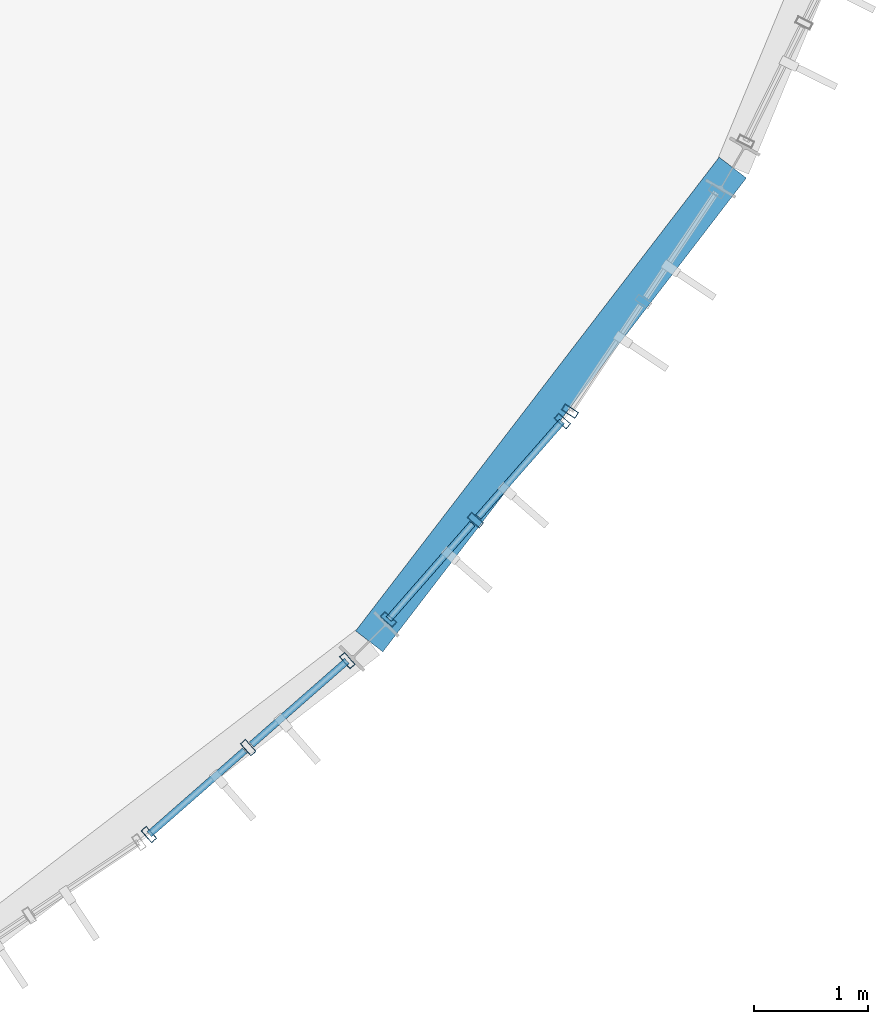
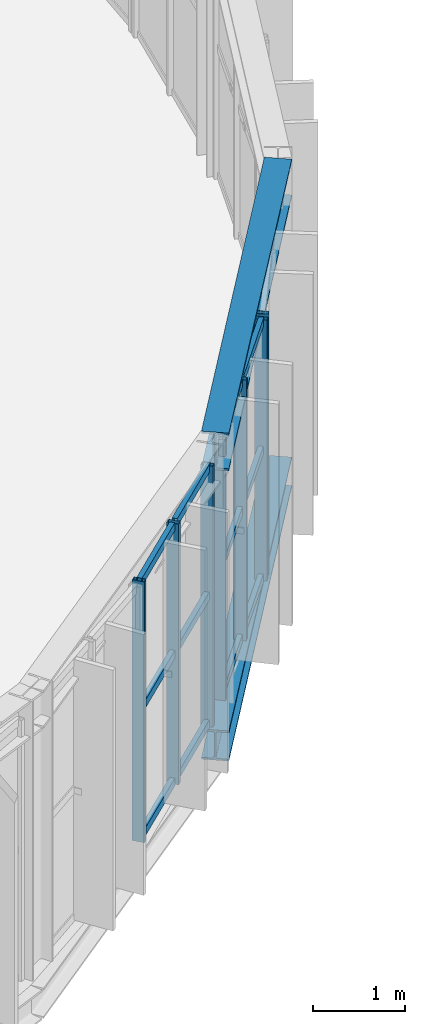
# One storey, part 46 of 152: 19 members, 2 beams, 3 elements without a shape of their own.
"""IFC4 building model written with IfcOpenShell, lengths in metres."""

from ifc_helpers import new_model, si_unit, derived_unit, direction, frame, origin, origin_2d, place, context, subcontext, project, spatial, hollow_rectangle, i_section, extrude, material, material_profile, profile_set, type_object, element, aggregate, save


model = new_model("IFC4")

# Units and contexts
model_context = context("Model", 3, precision=1e-05, world=origin(), true_north=direction((0.0, 1.0)))
body_context = subcontext(model_context, "Body", "Model", "MODEL_VIEW")
ifc_project = project(units=[si_unit("LENGTHUNIT", "METRE"), si_unit("AREAUNIT", "SQUARE_METRE"), si_unit("VOLUMEUNIT", "CUBIC_METRE"), si_unit("PLANEANGLEUNIT", "RADIAN"), si_unit("MASSUNIT", "GRAM", prefix="KILO"), si_unit("THERMODYNAMICTEMPERATUREUNIT", "KELVIN"), si_unit("TIMEUNIT", "SECOND"), derived_unit("THERMALTRANSMITTANCEUNIT", [(si_unit("MASSUNIT", "GRAM", prefix="KILO"), 1), (si_unit("THERMODYNAMICTEMPERATUREUNIT", "KELVIN"), -1), (si_unit("TIMEUNIT", "SECOND"), -3)])], contexts=[model_context])

# Site, building, storey
site_placement = place(None, origin())
site = spatial("IfcSite", under=ifc_project, at=site_placement, CompositionType="ELEMENT")
building_placement = place(site_placement, origin())
building = spatial("IfcBuilding", under=site, at=building_placement, Name="Cambertide Market Hall", CompositionType="ELEMENT")
storey_placement = place(building_placement, frame((0.0, 0.0, 5.39990234375)))
storey = spatial("IfcBuildingStorey", under=building, at=storey_placement, Name="L02", CompositionType="ELEMENT", Elevation=5.39990234375)

# Curtain wall, members
ifc_material_1 = material(Name="Marine Anodized Aluminium 6063-T6 AA25", Category="aluminium")
curtain_wall_type = type_object("IfcCurtainWallType", Name="Lantern Apse Chord Upper Curtain Wall", PredefinedType="USERDEFINED", material=ifc_material_1)
curtain_wall_1_placement = place(storey_placement, origin())
curtain_wall_1 = element("IfcCurtainWall", 1, at=curtain_wall_1_placement, inside=storey, type_object=curtain_wall_type, Name="Level 2 Curtain Wall CW-V1AE-L02-06", ObjectType="UNITIZED CURTAIN WALL", PredefinedType="USERDEFINED")
ifc_material_2 = material(Name="Champagne Marine Anodized Aluminium 6063-T6 AA25", Category="aluminium")
ifc_material_profile_1 = material_profile(ifc_material_2, hollow_rectangle(XDim=0.06005859375, YDim=0.139892578125, WallThickness=0.00341796875, at=origin_2d()), Name="ALU MULLION 60x140")
ifc_profile_set_1 = profile_set([ifc_material_profile_1], Name="Champagne Marine Anodized Aluminium 6063-T6 AA25")
member_type_1 = type_object("IfcMemberType", Name="Curtain Wall Mullion ALU MULLION 60x140", PredefinedType="MULLION", material=ifc_profile_set_1)
member_1_placement = place(storey_placement, frame((118.950439453125, 57.689697265625, 0.0), z_axis=(0.0, 0.0, 1.0), x_axis=(-0.751839834741, -0.659345784014, 0.0)))
member_1 = element("IfcMember", 2, at=member_1_placement, type_object=member_type_1, Name="CW-V1AE-L02-06 Mullion 1", PredefinedType="MULLION", context=body_context, shape_type="SweptSolid", body=[
    extrude(hollow_rectangle(XDim=0.06005859375, YDim=0.139892578125, WallThickness=0.00341796875, at=origin_2d()), origin(), (0.0, 0.0, 1.0), 3.4501953125),
])
member_2_placement = place(storey_placement, frame((118.08349609375, 56.929443359375, 0.0), z_axis=(0.0, 0.0, 1.0), x_axis=(-0.751839834741, -0.659345784014, 0.0)))
member_2 = element("IfcMember", 3, at=member_2_placement, type_object=member_type_1, Name="CW-V1AE-L02-06 Mullion 2", PredefinedType="MULLION", context=body_context, shape_type="SweptSolid", body=[
    extrude(hollow_rectangle(XDim=0.06005859375, YDim=0.139892578125, WallThickness=0.00341796875, at=origin_2d()), origin(), (0.0, 0.0, 1.0), 3.4501953125),
])
member_3_placement = place(storey_placement, frame((117.216552734375, 56.169189453125, 0.0), z_axis=(0.0, 0.0, 1.0), x_axis=(-0.751839834741, -0.659345784014, 0.0)))
member_3 = element("IfcMember", 4, at=member_3_placement, type_object=member_type_1, Name="CW-V1AE-L02-06 Mullion 3", PredefinedType="MULLION", context=body_context, shape_type="SweptSolid", body=[
    extrude(hollow_rectangle(XDim=0.06005859375, YDim=0.139892578125, WallThickness=0.00341796875, at=origin_2d()), origin(), (0.0, 0.0, 1.0), 3.4501953125),
])

curtain_wall_2_placement = place(storey_placement, origin())
curtain_wall_2 = element("IfcCurtainWall", 5, at=curtain_wall_2_placement, inside=storey, type_object=curtain_wall_type, Name="Level 2 Curtain Wall CW-V1AE-L02-07", ObjectType="UNITIZED CURTAIN WALL", PredefinedType="USERDEFINED")
member_4_placement = place(storey_placement, frame((120.830810546875, 59.783447265625, 0.0), z_axis=(0.0, 0.0, 1.0), x_axis=(-0.659345784014, -0.751839834741, 0.0)))
member_4 = element("IfcMember", 6, at=member_4_placement, type_object=member_type_1, Name="CW-V1AE-L02-07 Mullion 1", PredefinedType="MULLION", context=body_context, shape_type="SweptSolid", body=[
    extrude(hollow_rectangle(XDim=0.06005859375, YDim=0.139892578125, WallThickness=0.00341796875, at=origin_2d()), origin(), (0.0, 0.0, 1.0), 3.4501953125),
])
member_5_placement = place(storey_placement, frame((120.070556640625, 58.91650390625, 0.0), z_axis=(0.0, 0.0, 1.0), x_axis=(-0.659345784014, -0.751839834741, 0.0)))
member_5 = element("IfcMember", 7, at=member_5_placement, type_object=member_type_1, Name="CW-V1AE-L02-07 Mullion 2", PredefinedType="MULLION", context=body_context, shape_type="SweptSolid", body=[
    extrude(hollow_rectangle(XDim=0.06005859375, YDim=0.139892578125, WallThickness=0.00341796875, at=origin_2d()), origin(), (0.0, 0.0, 1.0), 3.4501953125),
])
member_6_placement = place(storey_placement, frame((119.310302734375, 58.049560546875, 0.0), z_axis=(0.0, 0.0, 1.0), x_axis=(-0.659345784014, -0.751839834741, 0.0)))
member_6 = element("IfcMember", 8, at=member_6_placement, type_object=member_type_1, Name="CW-V1AE-L02-07 Mullion 3", PredefinedType="MULLION", context=body_context, shape_type="SweptSolid", body=[
    extrude(hollow_rectangle(XDim=0.06005859375, YDim=0.139892578125, WallThickness=0.00341796875, at=origin_2d()), origin(), (0.0, 0.0, 1.0), 3.4501953125),
])

# Curtain wall, member
curtain_wall_3_placement = place(storey_placement, origin())
curtain_wall_3 = element("IfcCurtainWall", 9, at=curtain_wall_3_placement, inside=storey, type_object=curtain_wall_type, Name="Level 2 Curtain Wall CW-V1AE-L02-08", ObjectType="UNITIZED CURTAIN WALL", PredefinedType="USERDEFINED")
member_7_placement = place(storey_placement, frame((120.897705078125, 59.87060546875, 0.0), z_axis=(0.0, 0.0, 1.0), x_axis=(-0.555570087582, -0.831469709481, 0.0)))
member_7 = element("IfcMember", 10, at=member_7_placement, type_object=member_type_1, Name="CW-V1AE-L02-08 Mullion 3", PredefinedType="MULLION", context=body_context, shape_type="SweptSolid", body=[
    extrude(hollow_rectangle(XDim=0.06005859375, YDim=0.139892578125, WallThickness=0.00341796875, at=origin_2d()), origin(), (0.0, 0.0, 1.0), 3.4501953125),
])
aggregate(curtain_wall_3, [member_7])

# Member
ifc_material_3 = material(Name="Champagne Marine Anodized Aluminium 6063-T6 AA25", Category="aluminium")
ifc_material_profile_2 = material_profile(ifc_material_3, hollow_rectangle(XDim=0.06005859375, YDim=0.10498046875, WallThickness=0.0029296875, at=origin_2d()), Name="ALU TRANSOM 60x105")
ifc_profile_set_2 = profile_set([ifc_material_profile_2], Name="Champagne Marine Anodized Aluminium 6063-T6 AA25")
member_type_2 = type_object("IfcMemberType", Name="Curtain Wall Transom ALU TRANSOM 60x105", PredefinedType="USERDEFINED", material=ifc_profile_set_2)
member_8_placement = place(storey_placement, frame((118.94677734375, 57.6865234375, 0.03515625), z_axis=(-0.751852984677, -0.659330789082, 0.0), x_axis=(0.659330789082, -0.751852984677, 0.0)))
member_8 = element("IfcMember", 11, at=member_8_placement, type_object=member_type_2, Name="CW-V1AE-L02-06 Transom 1-1", ObjectType="TRANSOM", PredefinedType="USERDEFINED", context=body_context, shape_type="SweptSolid", body=[
    extrude(hollow_rectangle(XDim=0.06005859375, YDim=0.10498046875, WallThickness=0.0029296875, at=origin_2d()), origin(), (0.0, 0.0, 1.0), 1.108154296875),
])

member_9_placement = place(storey_placement, frame((118.053466796875, 56.903076171875, 0.03515625), z_axis=(-0.751866427049, -0.659315460062, 0.0), x_axis=(0.659315460062, -0.751866427049, 0.0)))
member_9 = element("IfcMember", 12, at=member_9_placement, type_object=member_type_2, Name="CW-V1AE-L02-06 Transom 1-2", ObjectType="TRANSOM", PredefinedType="USERDEFINED", context=body_context, shape_type="SweptSolid", body=[
    extrude(hollow_rectangle(XDim=0.06005859375, YDim=0.10498046875, WallThickness=0.0029296875, at=origin_2d()), origin(), (0.0, 0.0, 1.0), 1.10791015625),
])

member_10_placement = place(storey_placement, frame((118.94677734375, 57.6865234375, 1.72509765625), z_axis=(-0.751852984677, -0.659330789082, 0.0), x_axis=(0.659330789082, -0.751852984677, 0.0)))
member_10 = element("IfcMember", 13, at=member_10_placement, type_object=member_type_2, Name="CW-V1AE-L02-06 Transom 2-1", ObjectType="TRANSOM", PredefinedType="USERDEFINED", context=body_context, shape_type="SweptSolid", body=[
    extrude(hollow_rectangle(XDim=0.06005859375, YDim=0.10498046875, WallThickness=0.0029296875, at=origin_2d()), origin(), (0.0, 0.0, 1.0), 1.108154296875),
])

member_11_placement = place(storey_placement, frame((118.053466796875, 56.903076171875, 1.72509765625), z_axis=(-0.751866427049, -0.659315460062, 0.0), x_axis=(0.659315460062, -0.751866427049, 0.0)))
member_11 = element("IfcMember", 14, at=member_11_placement, type_object=member_type_2, Name="CW-V1AE-L02-06 Transom 2-2", ObjectType="TRANSOM", PredefinedType="USERDEFINED", context=body_context, shape_type="SweptSolid", body=[
    extrude(hollow_rectangle(XDim=0.06005859375, YDim=0.10498046875, WallThickness=0.0029296875, at=origin_2d()), origin(), (0.0, 0.0, 1.0), 1.10791015625),
])

member_12_placement = place(storey_placement, frame((118.94677734375, 57.6865234375, 3.4150390625), z_axis=(-0.751852984677, -0.659330789082, 0.0), x_axis=(0.659330789082, -0.751852984677, 0.0)))
member_12 = element("IfcMember", 15, at=member_12_placement, type_object=member_type_2, Name="CW-V1AE-L02-06 Transom 3-1", ObjectType="TRANSOM", PredefinedType="USERDEFINED", context=body_context, shape_type="SweptSolid", body=[
    extrude(hollow_rectangle(XDim=0.06005859375, YDim=0.10498046875, WallThickness=0.0029296875, at=origin_2d()), origin(), (0.0, 0.0, 1.0), 1.108154296875),
])

member_13_placement = place(storey_placement, frame((118.053466796875, 56.903076171875, 3.4150390625), z_axis=(-0.751866427049, -0.659315460062, 0.0), x_axis=(0.659315460062, -0.751866427049, 0.0)))
member_13 = element("IfcMember", 16, at=member_13_placement, type_object=member_type_2, Name="CW-V1AE-L02-06 Transom 3-2", ObjectType="TRANSOM", PredefinedType="USERDEFINED", context=body_context, shape_type="SweptSolid", body=[
    extrude(hollow_rectangle(XDim=0.06005859375, YDim=0.10498046875, WallThickness=0.0029296875, at=origin_2d()), origin(), (0.0, 0.0, 1.0), 1.10791015625),
])

aggregate(curtain_wall_1, [member_1, member_2, member_3, member_8, member_9, member_10, member_11, member_12, member_13])

member_14_placement = place(storey_placement, frame((120.827392578125, 59.779541015625, 0.03515625), z_axis=(-0.659315460062, -0.751866427049, 0.0), x_axis=(0.751866427049, -0.659315460062, 0.0)))
member_14 = element("IfcMember", 17, at=member_14_placement, type_object=member_type_2, Name="CW-V1AE-L02-07 Transom 1-1", ObjectType="TRANSOM", PredefinedType="USERDEFINED", context=body_context, shape_type="SweptSolid", body=[
    extrude(hollow_rectangle(XDim=0.06005859375, YDim=0.10498046875, WallThickness=0.0029296875, at=origin_2d()), origin(), (0.0, 0.0, 1.0), 1.10791015625),
])

member_15_placement = place(storey_placement, frame((120.044189453125, 58.886474609375, 0.03515625), z_axis=(-0.659330789082, -0.751852984677, 0.0), x_axis=(0.751852984677, -0.659330789082, 0.0)))
member_15 = element("IfcMember", 18, at=member_15_placement, type_object=member_type_2, Name="CW-V1AE-L02-07 Transom 1-2", ObjectType="TRANSOM", PredefinedType="USERDEFINED", context=body_context, shape_type="SweptSolid", body=[
    extrude(hollow_rectangle(XDim=0.06005859375, YDim=0.10498046875, WallThickness=0.0029296875, at=origin_2d()), origin(), (0.0, 0.0, 1.0), 1.108154296875),
])

member_16_placement = place(storey_placement, frame((120.827392578125, 59.779541015625, 1.72509765625), z_axis=(-0.659315460062, -0.751866427049, 0.0), x_axis=(0.751866427049, -0.659315460062, 0.0)))
member_16 = element("IfcMember", 19, at=member_16_placement, type_object=member_type_2, Name="CW-V1AE-L02-07 Transom 2-1", ObjectType="TRANSOM", PredefinedType="USERDEFINED", context=body_context, shape_type="SweptSolid", body=[
    extrude(hollow_rectangle(XDim=0.06005859375, YDim=0.10498046875, WallThickness=0.0029296875, at=origin_2d()), origin(), (0.0, 0.0, 1.0), 1.10791015625),
])

member_17_placement = place(storey_placement, frame((120.044189453125, 58.886474609375, 1.72509765625), z_axis=(-0.659330789082, -0.751852984677, 0.0), x_axis=(0.751852984677, -0.659330789082, 0.0)))
member_17 = element("IfcMember", 20, at=member_17_placement, type_object=member_type_2, Name="CW-V1AE-L02-07 Transom 2-2", ObjectType="TRANSOM", PredefinedType="USERDEFINED", context=body_context, shape_type="SweptSolid", body=[
    extrude(hollow_rectangle(XDim=0.06005859375, YDim=0.10498046875, WallThickness=0.0029296875, at=origin_2d()), origin(), (0.0, 0.0, 1.0), 1.108154296875),
])

member_18_placement = place(storey_placement, frame((120.827392578125, 59.779541015625, 3.4150390625), z_axis=(-0.659315460062, -0.751866427049, 0.0), x_axis=(0.751866427049, -0.659315460062, 0.0)))
member_18 = element("IfcMember", 21, at=member_18_placement, type_object=member_type_2, Name="CW-V1AE-L02-07 Transom 3-1", ObjectType="TRANSOM", PredefinedType="USERDEFINED", context=body_context, shape_type="SweptSolid", body=[
    extrude(hollow_rectangle(XDim=0.06005859375, YDim=0.10498046875, WallThickness=0.0029296875, at=origin_2d()), origin(), (0.0, 0.0, 1.0), 1.10791015625),
])

member_19_placement = place(storey_placement, frame((120.044189453125, 58.886474609375, 3.4150390625), z_axis=(-0.659330789082, -0.751852984677, 0.0), x_axis=(0.751852984677, -0.659330789082, 0.0)))
member_19 = element("IfcMember", 22, at=member_19_placement, type_object=member_type_2, Name="CW-V1AE-L02-07 Transom 3-2", ObjectType="TRANSOM", PredefinedType="USERDEFINED", context=body_context, shape_type="SweptSolid", body=[
    extrude(hollow_rectangle(XDim=0.06005859375, YDim=0.10498046875, WallThickness=0.0029296875, at=origin_2d()), origin(), (0.0, 0.0, 1.0), 1.108154296875),
])

aggregate(curtain_wall_2, [member_4, member_5, member_6, member_14, member_15, member_16, member_17, member_18, member_19])

# Beams
ifc_material_4 = material(Name="Steel S355", Category="steel")
ifc_material_profile_3 = material_profile(ifc_material_4, i_section(OverallWidth=0.300048828125, OverallDepth=0.5, WebThickness=0.014404296875, FlangeThickness=0.028076171875, FilletRadius=0.027099609375, at=origin_2d()), Name="HEB 500")
ifc_profile_set_3 = profile_set([ifc_material_profile_3], Name="Steel S355")
beam_type_1 = type_object("IfcBeamType", Name="Exterior Steel Girder HEB 500", PredefinedType="BEAM", material=ifc_profile_set_3)
beam_1_placement = place(storey_placement, frame((119.14208984375, 57.85791015625, 3.4501953125), z_axis=(0.608777037117, 0.793341363525, 0.0), x_axis=(-0.793341363525, 0.608777037117, 0.0)))
element("IfcBeam", 23, at=beam_1_placement, inside=storey, type_object=beam_type_1, Name="Level 2 Beam EAVE-V1AE-04", PredefinedType="BEAM", context=body_context, shape_type="SweptSolid", body=[
    extrude(i_section(OverallWidth=0.300048828125, OverallDepth=0.5, WebThickness=0.014404296875, FlangeThickness=0.028076171875, FilletRadius=0.027099609375, at=origin_2d()), origin(), (0.0, 0.0, 1.0), 5.220947265625),
])
ifc_material_5 = material(Name="Steel S355", Category="steel")
ifc_material_profile_4 = material_profile(ifc_material_5, i_section(OverallWidth=0.300048828125, OverallDepth=0.39990234375, WebThickness=0.013427734375, FlangeThickness=0.02392578125, FilletRadius=0.027099609375, at=origin_2d()), Name="HEB 400")
ifc_profile_set_4 = profile_set([ifc_material_profile_4], Name="Steel S355")
beam_type_2 = type_object("IfcBeamType", Name="Steel Girder HEB 400", PredefinedType="BEAM", material=ifc_profile_set_4)
beam_2_placement = place(storey_placement, frame((119.14208984375, 57.85791015625, -0.43994140625), z_axis=(0.608777037117, 0.793341363525, 0.0), x_axis=(-0.793341363525, 0.608777037117, 0.0)))
element("IfcBeam", 24, at=beam_2_placement, inside=storey, type_object=beam_type_2, Name="Level 2 Beam BM-V1AE-L02-4", PredefinedType="BEAM", context=body_context, shape_type="SweptSolid", body=[
    extrude(i_section(OverallWidth=0.300048828125, OverallDepth=0.39990234375, WebThickness=0.013427734375, FlangeThickness=0.02392578125, FilletRadius=0.027099609375, at=origin_2d()), origin(), (0.0, 0.0, 1.0), 5.220947265625),
])

save(model, "model.ifc")
